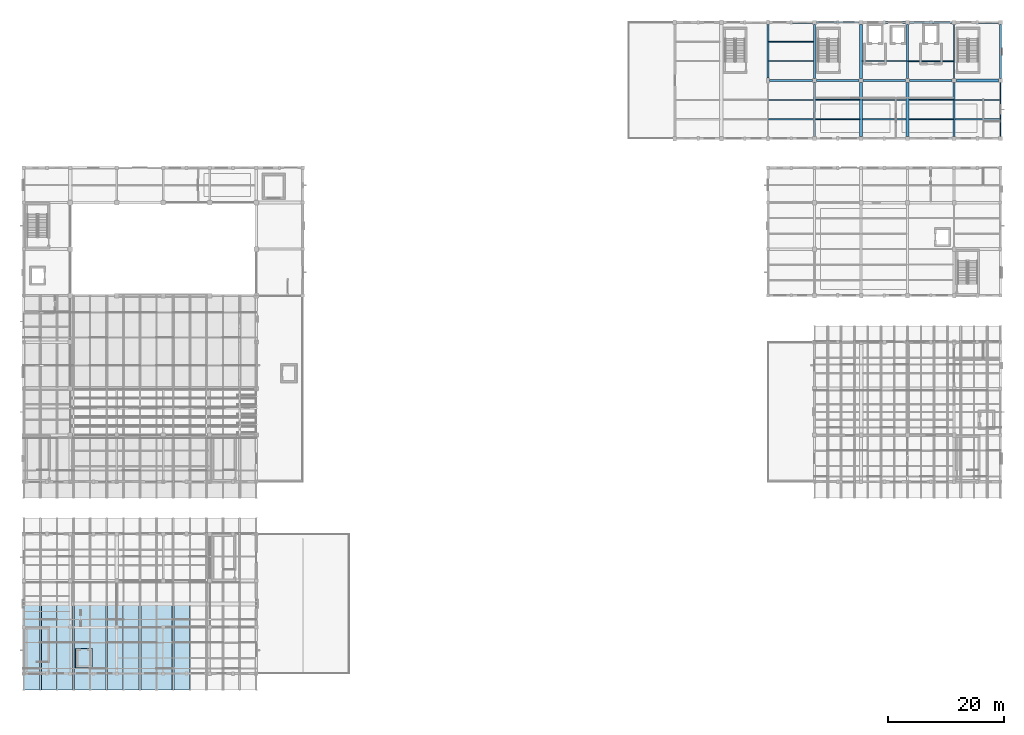
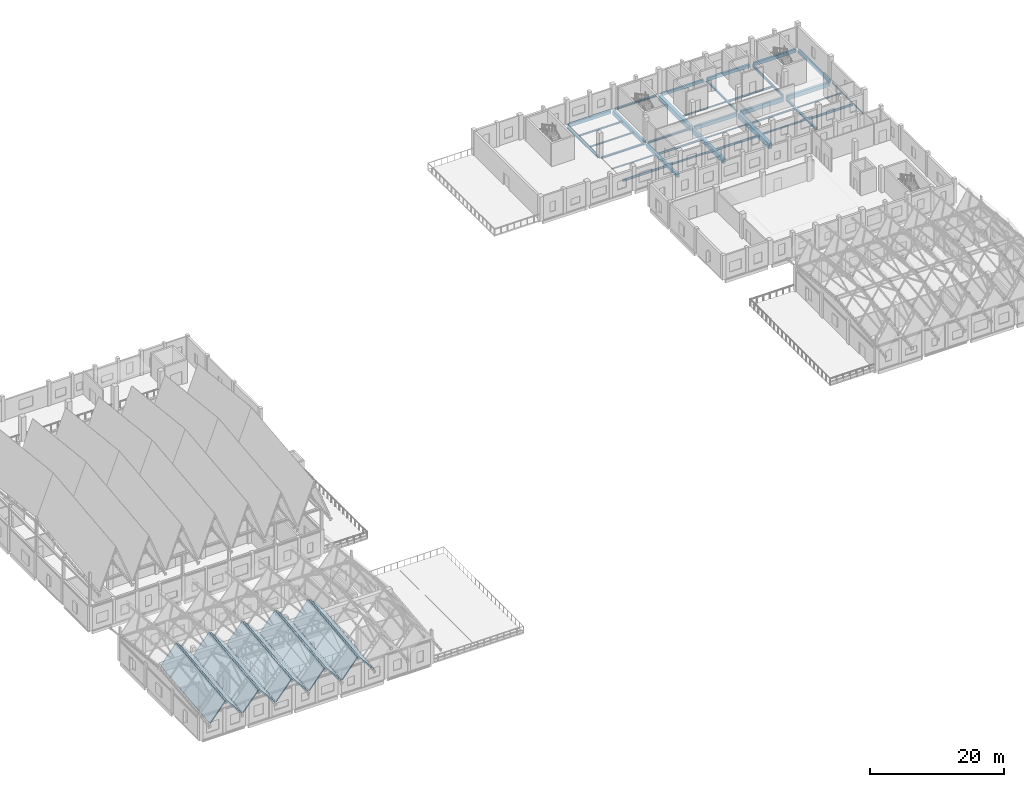
# One storey, part 26 of 77: 35 beams, 11 slabs.
"""IFC4 building model written with IfcOpenShell, lengths in metres."""

from ifc_helpers import new_model, si_unit, direction, frame, origin, origin_2d, place, context, subcontext, project, spatial, polyline, rectangle, hollow_rectangle, i_section, outline, extrude, material, layer, layer_set, material_profile, profile_set, type_object, element, save


model = new_model("IFC4")

# Units and contexts
model_context = context("Model", 3, precision=1e-05, world=origin(), true_north=direction((0.0, 1.0)))
body_context = subcontext(model_context, "Body", "Model", "MODEL_VIEW")
ifc_project = project(units=[si_unit("LENGTHUNIT", "METRE"), si_unit("AREAUNIT", "SQUARE_METRE"), si_unit("VOLUMEUNIT", "CUBIC_METRE"), si_unit("PLANEANGLEUNIT", "RADIAN"), si_unit("MASSUNIT", "GRAM", prefix="KILO")], contexts=[model_context])

# Site, building, storey
site_placement = place(None, origin())
site = spatial("IfcSite", under=ifc_project, at=site_placement, CompositionType="ELEMENT")
building_placement = place(site_placement, origin())
building = spatial("IfcBuilding", under=site, at=building_placement, Name="Luwemba Playhouse", CompositionType="ELEMENT")
storey_placement = place(building_placement, frame((0.0, 0.0, 9.300048828125)))
storey = spatial("IfcBuildingStorey", under=building, at=storey_placement, Name="L02", CompositionType="ELEMENT", Elevation=9.300048828125)

# Beams
ifc_material_1 = material(Name="Concrete C40/50", Category="concrete")
ifc_material_profile_1 = material_profile(ifc_material_1, rectangle(XDim=0.39990234375, YDim=0.60009765625, at=origin_2d()))
ifc_profile_set_1 = profile_set([ifc_material_profile_1], Name="Concrete C40/50")
beam_type_1 = type_object("IfcBeamType", Name="BM-RB01", PredefinedType="BEAM", material=ifc_profile_set_1)
beam_1_placement = place(storey_placement, frame((140.0, 95.375, -0.550048828125), z_axis=(0.0, 1.0, 0.0), x_axis=(-1.0, 0.0, 0.0)))
element("IfcBeam", 1, at=beam_1_placement, inside=storey, type_object=beam_type_1, Name="L02 transverse girder 0819", PredefinedType="BEAM", context=body_context, shape_type="SweptSolid", body=[
    extrude(rectangle(XDim=0.39990234375, YDim=0.60009765625, at=origin_2d()), origin(), (0.0, 0.0, 1.0), 9.25),
])
ifc_material_profile_2 = material_profile(ifc_material_1, rectangle(XDim=0.39990234375, YDim=0.64990234375, at=origin_2d()))
ifc_profile_set_2 = profile_set([ifc_material_profile_2], Name="Concrete C40/50")
beam_type_2 = type_object("IfcBeamType", Name="BM-RB02", PredefinedType="BEAM", material=ifc_profile_set_2)
beam_2_placement = place(storey_placement, frame((148.375, 105.0, -0.574951171875), z_axis=(1.0, 0.0, 0.0), x_axis=(0.0, 1.0, 0.0)))
element("IfcBeam", 2, at=beam_2_placement, inside=storey, type_object=beam_type_2, Name="L02 grid girder 0805", PredefinedType="BEAM", context=body_context, shape_type="SweptSolid", body=[
    extrude(rectangle(XDim=0.39990234375, YDim=0.64990234375, at=origin_2d()), origin(), (0.0, 0.0, 1.0), 7.25),
])
ifc_material_profile_3 = material_profile(ifc_material_1, rectangle(XDim=0.39990234375, YDim=0.75, at=origin_2d()))
ifc_profile_set_3 = profile_set([ifc_material_profile_3], Name="Concrete C40/50")
beam_type_3 = type_object("IfcBeamType", Name="BM-RB03", PredefinedType="BEAM", material=ifc_profile_set_3)
beam_3_placement = place(storey_placement, frame((156.375, 105.0, -0.625), z_axis=(1.0, 0.0, 0.0), x_axis=(0.0, 1.0, 0.0)))
element("IfcBeam", 3, at=beam_3_placement, inside=storey, type_object=beam_type_3, Name="L02 grid girder 0806", PredefinedType="BEAM", context=body_context, shape_type="SweptSolid", body=[
    extrude(rectangle(XDim=0.39990234375, YDim=0.75, at=origin_2d()), origin(), (0.0, 0.0, 1.0), 7.25),
])
beam_4_placement = place(storey_placement, frame((140.0, 105.375, -0.625), z_axis=(0.0, 1.0, 0.0), x_axis=(-1.0, 0.0, 0.0)))
element("IfcBeam", 4, at=beam_4_placement, inside=storey, type_object=beam_type_3, Name="L02 transverse girder 0820", PredefinedType="BEAM", context=body_context, shape_type="SweptSolid", body=[
    extrude(rectangle(XDim=0.39990234375, YDim=0.75, at=origin_2d()), origin(), (0.0, 0.0, 1.0), 9.25),
])
ifc_material_profile_4 = material_profile(ifc_material_1, rectangle(XDim=0.449951171875, YDim=0.75, at=origin_2d()))
ifc_profile_set_4 = profile_set([ifc_material_profile_4], Name="Concrete C40/50")
beam_type_4 = type_object("IfcBeamType", Name="BM-RB04", PredefinedType="BEAM", material=ifc_profile_set_4)
beam_5_placement = place(storey_placement, frame((164.375, 105.0, -0.625), z_axis=(1.0, 0.0, 0.0), x_axis=(0.0, 1.0, 0.0)))
element("IfcBeam", 5, at=beam_5_placement, inside=storey, type_object=beam_type_4, Name="L02 grid girder 0807", PredefinedType="BEAM", context=body_context, shape_type="SweptSolid", body=[
    extrude(rectangle(XDim=0.449951171875, YDim=0.75, at=origin_2d()), origin(), (0.0, 0.0, 1.0), 7.25),
])
ifc_material_profile_5 = material_profile(ifc_material_1, rectangle(XDim=0.449951171875, YDim=0.85009765625, at=origin_2d()))
ifc_profile_set_5 = profile_set([ifc_material_profile_5], Name="Concrete C40/50")
beam_type_5 = type_object("IfcBeamType", Name="BM-RB05", PredefinedType="BEAM", material=ifc_profile_set_5)
beam_6_placement = place(storey_placement, frame((148.0, 95.375, -0.675048828125), z_axis=(0.0, 1.0, 0.0), x_axis=(-1.0, 0.0, 0.0)))
element("IfcBeam", 6, at=beam_6_placement, inside=storey, type_object=beam_type_5, Name="L02 transverse girder 0821", PredefinedType="BEAM", context=body_context, shape_type="SweptSolid", body=[
    extrude(rectangle(XDim=0.449951171875, YDim=0.85009765625, at=origin_2d()), origin(), (0.0, 0.0, 1.0), 9.25),
])
ifc_material_profile_6 = material_profile(ifc_material_1, rectangle(XDim=0.5, YDim=0.89990234375, at=origin_2d()))
ifc_profile_set_6 = profile_set([ifc_material_profile_6], Name="Concrete C40/50")
beam_type_6 = type_object("IfcBeamType", Name="BM-RB07", PredefinedType="BEAM", material=ifc_profile_set_6)
beam_7_placement = place(storey_placement, frame((148.0, 105.375, -0.699951171875), z_axis=(0.0, 1.0, 0.0), x_axis=(-1.0, 0.0, 0.0)))
element("IfcBeam", 7, at=beam_7_placement, inside=storey, type_object=beam_type_6, Name="L02 transverse girder 0822", PredefinedType="BEAM", context=body_context, shape_type="SweptSolid", body=[
    extrude(rectangle(XDim=0.5, YDim=0.89990234375, at=origin_2d()), origin(), (0.0, 0.0, 1.0), 9.25),
])
ifc_material_profile_7 = material_profile(ifc_material_1, rectangle(XDim=0.550048828125, YDim=0.949951171875, at=origin_2d()))
ifc_profile_set_7 = profile_set([ifc_material_profile_7], Name="Concrete C40/50")
beam_type_7 = type_object("IfcBeamType", Name="BM-RB08", PredefinedType="BEAM", material=ifc_profile_set_7)
beam_8_placement = place(storey_placement, frame((156.0, 95.375, -0.72509765625), z_axis=(0.0, 1.0, 0.0), x_axis=(-1.0, 0.0, 0.0)))
element("IfcBeam", 8, at=beam_8_placement, inside=storey, type_object=beam_type_7, Name="L02 transverse girder 0823", PredefinedType="BEAM", context=body_context, shape_type="SweptSolid", body=[
    extrude(rectangle(XDim=0.550048828125, YDim=0.949951171875, at=origin_2d()), origin(), (0.0, 0.0, 1.0), 9.25),
])
ifc_material_2 = material(Name="Steel S355", Category="steel")
ifc_material_profile_8 = material_profile(ifc_material_2, i_section(OverallWidth=0.280029296875, OverallDepth=0.27001953125, WebThickness=0.008056640625, FlangeThickness=0.012939453125, FilletRadius=0.02392578125, at=origin_2d()))
ifc_profile_set_8 = profile_set([ifc_material_profile_8], Name="Steel S355")
beam_type_8 = type_object("IfcBeamType", Name="BM-SB02", PredefinedType="BEAM", material=ifc_profile_set_8)
beam_9_placement = place(storey_placement, frame((156.0, 105.375, -0.385009765625), z_axis=(0.0, 1.0, 0.0), x_axis=(-1.0, 0.0, 0.0)))
element("IfcBeam", 9, at=beam_9_placement, inside=storey, type_object=beam_type_8, Name="L02 transverse girder 0824", PredefinedType="BEAM", context=body_context, shape_type="SweptSolid", body=[
    extrude(i_section(OverallWidth=0.280029296875, OverallDepth=0.27001953125, WebThickness=0.008056640625, FlangeThickness=0.012939453125, FilletRadius=0.02392578125, at=origin_2d()), origin(), (0.0, 0.0, 1.0), 9.25),
])
ifc_material_profile_9 = material_profile(ifc_material_2, i_section(OverallWidth=0.300048828125, OverallDepth=0.2900390625, WebThickness=0.008544921875, FlangeThickness=0.013916015625, FilletRadius=0.027099609375, at=origin_2d()))
ifc_profile_set_9 = profile_set([ifc_material_profile_9], Name="Steel S355")
beam_type_9 = type_object("IfcBeamType", Name="BM-SB03", PredefinedType="BEAM", material=ifc_profile_set_9)
beam_10_placement = place(storey_placement, frame((132.300048828125, 105.0, -0.39501953125), z_axis=(1.0, 0.0, 0.0), x_axis=(0.0, 1.0, 0.0)))
element("IfcBeam", 10, at=beam_10_placement, inside=storey, type_object=beam_type_9, Name="L02 grid girder 0803", PredefinedType="BEAM", context=body_context, shape_type="SweptSolid", body=[
    extrude(i_section(OverallWidth=0.300048828125, OverallDepth=0.2900390625, WebThickness=0.008544921875, FlangeThickness=0.013916015625, FilletRadius=0.027099609375, at=origin_2d()), origin(), (0.0, 0.0, 1.0), 7.324951171875),
])
ifc_material_profile_10 = material_profile(ifc_material_2, i_section(OverallWidth=0.300048828125, OverallDepth=0.330078125, WebThickness=0.009521484375, FlangeThickness=0.0166015625, FilletRadius=0.027099609375, at=origin_2d()))
ifc_profile_set_10 = profile_set([ifc_material_profile_10], Name="Steel S355")
beam_type_10 = type_object("IfcBeamType", Name="BM-SB04", PredefinedType="BEAM", material=ifc_profile_set_10)
beam_11_placement = place(storey_placement, frame((140.375, 105.0, -0.4150390625), z_axis=(1.0, 0.0, 0.0), x_axis=(0.0, 1.0, 0.0)))
element("IfcBeam", 11, at=beam_11_placement, inside=storey, type_object=beam_type_10, Name="L02 grid girder 0804", PredefinedType="BEAM", context=body_context, shape_type="SweptSolid", body=[
    extrude(i_section(OverallWidth=0.300048828125, OverallDepth=0.330078125, WebThickness=0.009521484375, FlangeThickness=0.0166015625, FilletRadius=0.027099609375, at=origin_2d()), origin(), (0.0, 0.0, 1.0), 7.25),
])
ifc_material_profile_11 = material_profile(ifc_material_2, i_section(OverallWidth=0.300048828125, OverallDepth=0.389892578125, WebThickness=0.010986328125, FlangeThickness=0.01904296875, FilletRadius=0.027099609375, at=origin_2d()))
ifc_profile_set_11 = profile_set([ifc_material_profile_11], Name="Steel S355")
beam_type_11 = type_object("IfcBeamType", Name="BM-SB05", PredefinedType="BEAM", material=ifc_profile_set_11)
beam_12_placement = place(storey_placement, frame((164.0, 95.375, -0.445068359375), z_axis=(0.0, 1.0, 0.0), x_axis=(-1.0, 0.0, 0.0)))
element("IfcBeam", 12, at=beam_12_placement, inside=storey, type_object=beam_type_11, Name="L02 transverse girder 0825", PredefinedType="BEAM", context=body_context, shape_type="SweptSolid", body=[
    extrude(i_section(OverallWidth=0.300048828125, OverallDepth=0.389892578125, WebThickness=0.010986328125, FlangeThickness=0.01904296875, FilletRadius=0.027099609375, at=origin_2d()), origin(), (0.0, 0.0, 1.0), 9.25),
])
ifc_material_profile_12 = material_profile(ifc_material_2, i_section(OverallWidth=0.18994140625, OverallDepth=0.449951171875, WebThickness=0.009521484375, FlangeThickness=0.0146484375, FilletRadius=0.02099609375, at=origin_2d()))
ifc_profile_set_12 = profile_set([ifc_material_profile_12], Name="Steel S355")
beam_type_12 = type_object("IfcBeamType", Name="BM-SB06", PredefinedType="BEAM", material=ifc_profile_set_12)
beam_13_placement = place(storey_placement, frame((164.0, 105.375, -0.47509765625), z_axis=(0.0, 1.0, 0.0), x_axis=(-1.0, 0.0, 0.0)))
element("IfcBeam", 13, at=beam_13_placement, inside=storey, type_object=beam_type_12, Name="L02 transverse girder 0826", PredefinedType="BEAM", context=body_context, shape_type="SweptSolid", body=[
    extrude(i_section(OverallWidth=0.18994140625, OverallDepth=0.449951171875, WebThickness=0.009521484375, FlangeThickness=0.0146484375, FilletRadius=0.02099609375, at=origin_2d()), origin(), (0.0, 0.0, 1.0), 9.25),
])
ifc_material_profile_13 = material_profile(ifc_material_2, i_section(OverallWidth=0.300048828125, OverallDepth=0.360107421875, WebThickness=0.012451171875, FlangeThickness=0.0224609375, FilletRadius=0.027099609375, at=origin_2d()))
ifc_profile_set_13 = profile_set([ifc_material_profile_13], Name="Steel S355")
beam_type_13 = type_object("IfcBeamType", Name="BM-SB09", PredefinedType="BEAM", material=ifc_profile_set_13)
beam_14_placement = place(storey_placement, frame((132.0, 105.39990234375, -0.429931640625), z_axis=(0.0, 1.0, 0.0), x_axis=(-1.0, 0.0, 0.0)))
element("IfcBeam", 14, at=beam_14_placement, inside=storey, type_object=beam_type_13, Name="L02 transverse girder 0818", PredefinedType="BEAM", context=body_context, shape_type="SweptSolid", body=[
    extrude(i_section(OverallWidth=0.300048828125, OverallDepth=0.360107421875, WebThickness=0.012451171875, FlangeThickness=0.0224609375, FilletRadius=0.027099609375, at=origin_2d()), origin(), (0.0, 0.0, 1.0), 9.2001953125),
])
ifc_material_profile_14 = material_profile(ifc_material_2, i_section(OverallWidth=0.1201171875, OverallDepth=0.239990234375, WebThickness=0.006103515625, FlangeThickness=0.009765625, FilletRadius=0.014892578125, at=origin_2d()))
ifc_profile_set_14 = profile_set([ifc_material_profile_14], Name="Steel S355")
beam_type_14 = type_object("IfcBeamType", Name="BM-SJ03", PredefinedType="JOIST", material=ifc_profile_set_14)
beam_15_placement = place(storey_placement, frame((132.091064453125, 101.666748046875, -0.3701171875), z_axis=(1.0, 0.0, 0.0), x_axis=(0.0, 1.0, 0.0)))
element("IfcBeam", 15, at=beam_15_placement, inside=storey, type_object=beam_type_14, Name="L02 composite floor joist 0471", PredefinedType="JOIST", context=body_context, shape_type="SweptSolid", body=[
    extrude(i_section(OverallWidth=0.1201171875, OverallDepth=0.239990234375, WebThickness=0.006103515625, FlangeThickness=0.009765625, FilletRadius=0.014892578125, at=origin_2d()), origin(), (0.0, 0.0, 1.0), 7.712890625),
])
beam_16_placement = place(storey_placement, frame((148.220947265625, 101.666748046875, -0.3701171875), z_axis=(1.0, 0.0, 0.0), x_axis=(0.0, 1.0, 0.0)))
element("IfcBeam", 16, at=beam_16_placement, inside=storey, type_object=beam_type_14, Name="L02 composite floor joist 0477", PredefinedType="JOIST", context=body_context, shape_type="SweptSolid", body=[
    extrude(i_section(OverallWidth=0.1201171875, OverallDepth=0.239990234375, WebThickness=0.006103515625, FlangeThickness=0.009765625, FilletRadius=0.014892578125, at=origin_2d()), origin(), (0.0, 0.0, 1.0), 7.508056640625),
])
beam_17_placement = place(storey_placement, frame((164.14599609375, 101.666748046875, -0.3701171875), z_axis=(1.0, 0.0, 0.0), x_axis=(0.0, 1.0, 0.0)))
element("IfcBeam", 17, at=beam_17_placement, inside=storey, type_object=beam_type_14, Name="L02 composite floor joist 0483", PredefinedType="JOIST", context=body_context, shape_type="SweptSolid", body=[
    extrude(i_section(OverallWidth=0.1201171875, OverallDepth=0.239990234375, WebThickness=0.006103515625, FlangeThickness=0.009765625, FilletRadius=0.014892578125, at=origin_2d()), origin(), (0.0, 0.0, 1.0), 7.80810546875),
])
ifc_material_profile_15 = material_profile(ifc_material_2, i_section(OverallWidth=0.135009765625, OverallDepth=0.27001953125, WebThickness=0.006591796875, FlangeThickness=0.01025390625, FilletRadius=0.014892578125, at=origin_2d()))
ifc_profile_set_15 = profile_set([ifc_material_profile_15], Name="Steel S355")
beam_type_15 = type_object("IfcBeamType", Name="BM-SJ04", PredefinedType="JOIST", material=ifc_profile_set_15)
beam_18_placement = place(storey_placement, frame((132.14599609375, 108.333251953125, -0.385009765625), z_axis=(1.0, 0.0, 0.0), x_axis=(0.0, 1.0, 0.0)))
element("IfcBeam", 18, at=beam_18_placement, inside=storey, type_object=beam_type_15, Name="L02 composite floor joist 0472", PredefinedType="JOIST", context=body_context, shape_type="SweptSolid", body=[
    extrude(i_section(OverallWidth=0.135009765625, OverallDepth=0.27001953125, WebThickness=0.006591796875, FlangeThickness=0.01025390625, FilletRadius=0.014892578125, at=origin_2d()), origin(), (0.0, 0.0, 1.0), 7.657958984375),
])
beam_19_placement = place(storey_placement, frame((148.24609375, 108.333251953125, -0.385009765625), z_axis=(1.0, 0.0, 0.0), x_axis=(0.0, 1.0, 0.0)))
element("IfcBeam", 19, at=beam_19_placement, inside=storey, type_object=beam_type_15, Name="L02 composite floor joist 0478", PredefinedType="JOIST", context=body_context, shape_type="SweptSolid", body=[
    extrude(i_section(OverallWidth=0.135009765625, OverallDepth=0.27001953125, WebThickness=0.006591796875, FlangeThickness=0.01025390625, FilletRadius=0.014892578125, at=origin_2d()), origin(), (0.0, 0.0, 1.0), 7.617919921875),
])
ifc_material_profile_16 = material_profile(ifc_material_2, i_section(OverallWidth=0.14990234375, OverallDepth=0.300048828125, WebThickness=0.007080078125, FlangeThickness=0.0107421875, FilletRadius=0.014892578125, at=origin_2d()))
ifc_profile_set_16 = profile_set([ifc_material_profile_16], Name="Steel S355")
beam_type_16 = type_object("IfcBeamType", Name="BM-SJ05", PredefinedType="JOIST", material=ifc_profile_set_16)
beam_20_placement = place(storey_placement, frame((132.14599609375, 111.666748046875, -0.400146484375), z_axis=(1.0, 0.0, 0.0), x_axis=(0.0, 1.0, 0.0)))
element("IfcBeam", 20, at=beam_20_placement, inside=storey, type_object=beam_type_16, Name="L02 composite floor joist 0473", PredefinedType="JOIST", context=body_context, shape_type="SweptSolid", body=[
    extrude(i_section(OverallWidth=0.14990234375, OverallDepth=0.300048828125, WebThickness=0.007080078125, FlangeThickness=0.0107421875, FilletRadius=0.014892578125, at=origin_2d()), origin(), (0.0, 0.0, 1.0), 7.657958984375),
])
beam_21_placement = place(storey_placement, frame((156.27099609375, 98.333251953125, -0.400146484375), z_axis=(1.0, 0.0, 0.0), x_axis=(0.0, 1.0, 0.0)))
element("IfcBeam", 21, at=beam_21_placement, inside=storey, type_object=beam_type_16, Name="L02 composite floor joist 0479", PredefinedType="JOIST", context=body_context, shape_type="SweptSolid", body=[
    extrude(i_section(OverallWidth=0.14990234375, OverallDepth=0.300048828125, WebThickness=0.007080078125, FlangeThickness=0.0107421875, FilletRadius=0.014892578125, at=origin_2d()), origin(), (0.0, 0.0, 1.0), 7.5830078125),
])
ifc_material_profile_17 = material_profile(ifc_material_2, i_section(OverallWidth=0.159912109375, OverallDepth=0.330078125, WebThickness=0.007568359375, FlangeThickness=0.011474609375, FilletRadius=0.01806640625, at=origin_2d()))
ifc_profile_set_17 = profile_set([ifc_material_profile_17], Name="Steel S355")
beam_type_17 = type_object("IfcBeamType", Name="BM-SJ06", PredefinedType="JOIST", material=ifc_profile_set_17)
for number, where, z_axis, x_axis, name in (
    (22, (140.196044921875, 98.333251953125, -0.4150390625), (1.0, 0.0, 0.0), (0.0, 1.0, 0.0), "L02 composite floor joist 0474"),
    (23, (156.27099609375, 101.666748046875, -0.4150390625), (1.0, 0.0, 0.0), (0.0, 1.0, 0.0), "L02 composite floor joist 0480"),
):
    element("IfcBeam", number, at=place(storey_placement, frame(where, z_axis=z_axis, x_axis=x_axis)), inside=storey, type_object=beam_type_17, Name=name, PredefinedType="JOIST", context=body_context, shape_type="SweptSolid", body=[
        extrude(i_section(OverallWidth=0.159912109375, OverallDepth=0.330078125, WebThickness=0.007568359375, FlangeThickness=0.011474609375, FilletRadius=0.01806640625, at=origin_2d()), origin(), (0.0, 0.0, 1.0), 7.5830078125),
    ])
ifc_material_profile_18 = material_profile(ifc_material_2, i_section(OverallWidth=0.169921875, OverallDepth=0.360107421875, WebThickness=0.008056640625, FlangeThickness=0.0126953125, FilletRadius=0.01806640625, at=origin_2d()))
ifc_profile_set_18 = profile_set([ifc_material_profile_18], Name="Steel S355")
beam_type_18 = type_object("IfcBeamType", Name="BM-SJ07", PredefinedType="JOIST", material=ifc_profile_set_18)
beam_22_placement = place(storey_placement, frame((140.196044921875, 101.666748046875, -0.429931640625), z_axis=(1.0, 0.0, 0.0), x_axis=(0.0, 1.0, 0.0)))
element("IfcBeam", 24, at=beam_22_placement, inside=storey, type_object=beam_type_18, Name="L02 composite floor joist 0475", PredefinedType="JOIST", context=body_context, shape_type="SweptSolid", body=[
    extrude(i_section(OverallWidth=0.169921875, OverallDepth=0.360107421875, WebThickness=0.008056640625, FlangeThickness=0.0126953125, FilletRadius=0.01806640625, at=origin_2d()), origin(), (0.0, 0.0, 1.0), 7.5830078125),
])
beam_23_placement = place(storey_placement, frame((156.135986328125, 108.333251953125, -0.429931640625), z_axis=(1.0, 0.0, 0.0), x_axis=(0.0, 1.0, 0.0)))
element("IfcBeam", 25, at=beam_23_placement, inside=storey, type_object=beam_type_18, Name="L02 composite floor joist 0481", PredefinedType="JOIST", context=body_context, shape_type="SweptSolid", body=[
    extrude(i_section(OverallWidth=0.169921875, OverallDepth=0.360107421875, WebThickness=0.008056640625, FlangeThickness=0.0126953125, FilletRadius=0.01806640625, at=origin_2d()), origin(), (0.0, 0.0, 1.0), 7.77294921875),
])
ifc_material_profile_19 = material_profile(ifc_material_2, i_section(OverallWidth=0.179931640625, OverallDepth=0.39990234375, WebThickness=0.008544921875, FlangeThickness=0.013427734375, FilletRadius=0.02099609375, at=origin_2d()))
ifc_profile_set_19 = profile_set([ifc_material_profile_19], Name="Steel S355")
beam_type_19 = type_object("IfcBeamType", Name="BM-SJ08", PredefinedType="JOIST", material=ifc_profile_set_19)
beam_24_placement = place(storey_placement, frame((132.091064453125, 98.333251953125, -0.449951171875), z_axis=(1.0, 0.0, 0.0), x_axis=(0.0, 1.0, 0.0)))
element("IfcBeam", 26, at=beam_24_placement, inside=storey, type_object=beam_type_19, Name="L02 composite floor joist 0470", PredefinedType="JOIST", context=body_context, shape_type="SweptSolid", body=[
    extrude(i_section(OverallWidth=0.179931640625, OverallDepth=0.39990234375, WebThickness=0.008544921875, FlangeThickness=0.013427734375, FilletRadius=0.02099609375, at=origin_2d()), origin(), (0.0, 0.0, 1.0), 7.712890625),
])
beam_25_placement = place(storey_placement, frame((148.220947265625, 98.333251953125, -0.449951171875), z_axis=(1.0, 0.0, 0.0), x_axis=(0.0, 1.0, 0.0)))
element("IfcBeam", 27, at=beam_25_placement, inside=storey, type_object=beam_type_19, Name="L02 composite floor joist 0476", PredefinedType="JOIST", context=body_context, shape_type="SweptSolid", body=[
    extrude(i_section(OverallWidth=0.179931640625, OverallDepth=0.39990234375, WebThickness=0.008544921875, FlangeThickness=0.013427734375, FilletRadius=0.02099609375, at=origin_2d()), origin(), (0.0, 0.0, 1.0), 7.508056640625),
])
beam_26_placement = place(storey_placement, frame((164.14599609375, 98.333251953125, -0.449951171875), z_axis=(1.0, 0.0, 0.0), x_axis=(0.0, 1.0, 0.0)))
element("IfcBeam", 28, at=beam_26_placement, inside=storey, type_object=beam_type_19, Name="L02 composite floor joist 0482", PredefinedType="JOIST", context=body_context, shape_type="SweptSolid", body=[
    extrude(i_section(OverallWidth=0.179931640625, OverallDepth=0.39990234375, WebThickness=0.008544921875, FlangeThickness=0.013427734375, FilletRadius=0.02099609375, at=origin_2d()), origin(), (0.0, 0.0, 1.0), 7.80810546875),
])
ifc_material_profile_20 = material_profile(ifc_material_1, rectangle(XDim=0.300048828125, YDim=0.5, at=origin_2d()))
ifc_profile_set_20 = profile_set([ifc_material_profile_20], Name="Concrete C40/50")
beam_type_20 = type_object("IfcBeamType", Name="BM-SP1", PredefinedType="SPANDREL", material=ifc_profile_set_20)
beam_27_placement = place(storey_placement, frame((148.375, 115.0, -0.5), z_axis=(1.0, 0.0, 0.0), x_axis=(0.0, 1.0, 0.0)))
element("IfcBeam", 29, at=beam_27_placement, inside=storey, type_object=beam_type_20, Name="L02 grid girder 0812", PredefinedType="SPANDREL", context=body_context, shape_type="SweptSolid", body=[
    extrude(rectangle(XDim=0.300048828125, YDim=0.5, at=origin_2d()), origin(), (0.0, 0.0, 1.0), 7.25),
])
ifc_material_profile_21 = material_profile(ifc_material_1, rectangle(XDim=0.35009765625, YDim=0.550048828125, at=origin_2d()))
ifc_profile_set_21 = profile_set([ifc_material_profile_21], Name="Concrete C40/50")
beam_type_21 = type_object("IfcBeamType", Name="BM-SP2", PredefinedType="SPANDREL", material=ifc_profile_set_21)
beam_28_placement = place(storey_placement, frame((156.375, 115.0, -0.525146484375), z_axis=(1.0, 0.0, 0.0), x_axis=(0.0, 1.0, 0.0)))
element("IfcBeam", 30, at=beam_28_placement, inside=storey, type_object=beam_type_21, Name="L02 grid girder 0813", PredefinedType="SPANDREL", context=body_context, shape_type="SweptSolid", body=[
    extrude(rectangle(XDim=0.35009765625, YDim=0.550048828125, at=origin_2d()), origin(), (0.0, 0.0, 1.0), 7.25),
])
beam_29_placement = place(storey_placement, frame((172.0, 105.375, -0.525146484375), z_axis=(0.0, 1.0, 0.0), x_axis=(-1.0, 0.0, 0.0)))
element("IfcBeam", 31, at=beam_29_placement, inside=storey, type_object=beam_type_21, Name="L02 transverse girder 0828", PredefinedType="SPANDREL", context=body_context, shape_type="SweptSolid", body=[
    extrude(rectangle(XDim=0.35009765625, YDim=0.550048828125, at=origin_2d()), origin(), (0.0, 0.0, 1.0), 9.25),
])
ifc_material_profile_22 = material_profile(ifc_material_1, rectangle(XDim=0.35009765625, YDim=0.60009765625, at=origin_2d()))
ifc_profile_set_22 = profile_set([ifc_material_profile_22], Name="Concrete C40/50")
beam_type_22 = type_object("IfcBeamType", Name="BM-SP3", PredefinedType="SPANDREL", material=ifc_profile_set_22)
beam_30_placement = place(storey_placement, frame((132.300048828125, 115.0, -0.550048828125), z_axis=(1.0, 0.0, 0.0), x_axis=(0.0, 1.0, 0.0)))
element("IfcBeam", 32, at=beam_30_placement, inside=storey, type_object=beam_type_22, Name="L02 grid girder 0810", PredefinedType="SPANDREL", context=body_context, shape_type="SweptSolid", body=[
    extrude(rectangle(XDim=0.35009765625, YDim=0.60009765625, at=origin_2d()), origin(), (0.0, 0.0, 1.0), 7.324951171875),
])
beam_31_placement = place(storey_placement, frame((164.375, 115.0, -0.550048828125), z_axis=(1.0, 0.0, 0.0), x_axis=(0.0, 1.0, 0.0)))
element("IfcBeam", 33, at=beam_31_placement, inside=storey, type_object=beam_type_22, Name="L02 grid girder 0814", PredefinedType="SPANDREL", context=body_context, shape_type="SweptSolid", body=[
    extrude(rectangle(XDim=0.35009765625, YDim=0.60009765625, at=origin_2d()), origin(), (0.0, 0.0, 1.0), 7.25),
])
ifc_material_profile_23 = material_profile(ifc_material_2, i_section(OverallWidth=0.300048828125, OverallDepth=0.300048828125, WebThickness=0.010986328125, FlangeThickness=0.01904296875, FilletRadius=0.027099609375, at=origin_2d()))
ifc_profile_set_23 = profile_set([ifc_material_profile_23], Name="Steel S355")
beam_type_23 = type_object("IfcBeamType", Name="BM-SSP1", PredefinedType="SPANDREL", material=ifc_profile_set_23)
beam_32_placement = place(storey_placement, frame((140.375, 115.0, -0.400146484375), z_axis=(1.0, 0.0, 0.0), x_axis=(0.0, 1.0, 0.0)))
element("IfcBeam", 34, at=beam_32_placement, inside=storey, type_object=beam_type_23, Name="L02 grid girder 0811", PredefinedType="SPANDREL", context=body_context, shape_type="SweptSolid", body=[
    extrude(i_section(OverallWidth=0.300048828125, OverallDepth=0.300048828125, WebThickness=0.010986328125, FlangeThickness=0.01904296875, FilletRadius=0.027099609375, at=origin_2d()), origin(), (0.0, 0.0, 1.0), 7.25),
])
ifc_material_profile_24 = material_profile(ifc_material_2, hollow_rectangle(XDim=0.10009765625, YDim=0.199951171875, WallThickness=0.008056640625, InnerFilletRadius=0.011962890625, OuterFilletRadius=0.02001953125, at=origin_2d()))
ifc_profile_set_24 = profile_set([ifc_material_profile_24], Name="Steel S355")
beam_type_24 = type_object("IfcBeamType", Name="BM-SSP2", PredefinedType="SPANDREL", material=ifc_profile_set_24)
beam_33_placement = place(storey_placement, frame((172.0, 95.375, -0.35009765625), z_axis=(0.0, 1.0, 0.0), x_axis=(-1.0, 0.0, 0.0)))
element("IfcBeam", 35, at=beam_33_placement, inside=storey, type_object=beam_type_24, Name="L02 transverse girder 0827", PredefinedType="SPANDREL", context=body_context, shape_type="SweptSolid", body=[
    extrude(hollow_rectangle(XDim=0.10009765625, YDim=0.199951171875, WallThickness=0.008056640625, InnerFilletRadius=0.011962890625, OuterFilletRadius=0.02001953125, at=origin_2d()), origin(), (0.0, 0.0, 1.0), 9.25),
])

# Slabs
ifc_material_3 = material(Name="Concrete C32/40", Category="concrete")
ifc_layer_1 = layer(ifc_material_3, 0.199951171875)
ifc_layer_set_1 = layer_set([ifc_layer_1], Name="Concrete C32/40")
slab_type_1 = type_object("IfcSlabType", Name="SLB-ROOF-200", PredefinedType="ROOF", material=ifc_layer_set_1)
slab_1_placement = place(storey_placement, frame((4.0400390625, 0.199951171875, 4.59423828125), z_axis=(-0.768585900343, -0.071310400949, 0.635759813539), x_axis=(0.637382479229, 0.0, 0.770547581381)))
element("IfcSlab", 36, at=slab_1_placement, inside=storey, type_object=slab_type_1, Name="RF-V5W pleated roof facet 1S", PredefinedType="ROOF", context=body_context, shape_type="SweptSolid", body=[
    extrude(outline(polyline([(0.0, 0.0), (4.154411683785052, 0.0), (5.428373651829394, 14.777611480519171), (1.2739619680443413, 14.777611480519171), (0.0, 0.0)])), origin(), (0.0, 0.0, -1.0), 0.199951171875),
])
slab_2_placement = place(storey_placement, frame((7.026123046875, 0.199951171875, 7.79541015625), z_axis=(0.768556897924, -0.07131428463, 0.635794438055), x_axis=(0.637417369557, 0.0, -0.770518719427)))
element("IfcSlab", 37, at=slab_2_placement, inside=storey, type_object=slab_type_1, Name="RF-V5W pleated roof facet 2S", PredefinedType="ROOF", context=body_context, shape_type="SweptSolid", body=[
    extrude(outline(polyline([(0.0, 0.0), (4.154567299001048, 0.0), (2.880653049010733, 14.777615594163596), (-1.2739142499903156, 14.777615594163597), (0.0, 0.0)])), origin(), (0.0, 0.0, -1.0), 0.199951171875),
])
slab_3_placement = place(storey_placement, frame((9.75439453125, 0.199951171875, 4.59423828125), z_axis=(-0.768585900343, -0.071310400949, 0.635759813539), x_axis=(0.637382479229, 0.0, 0.770547581381)))
element("IfcSlab", 38, at=slab_3_placement, inside=storey, type_object=slab_type_1, Name="RF-V5W pleated roof facet 3S", PredefinedType="ROOF", context=body_context, shape_type="SweptSolid", body=[
    extrude(outline(polyline([(0.0, 0.0), (4.154411683785052, 0.0), (5.428373651829394, 14.777611480519171), (1.2739619680443413, 14.777611480519171), (0.0, 0.0)])), origin(), (0.0, 0.0, -1.0), 0.199951171875),
])
slab_4_placement = place(storey_placement, frame((12.740478515625, 0.199951171875, 7.79541015625), z_axis=(0.768556897924, -0.07131428463, 0.635794438055), x_axis=(0.637417369557, 0.0, -0.770518719427)))
element("IfcSlab", 39, at=slab_4_placement, inside=storey, type_object=slab_type_1, Name="RF-V5W pleated roof facet 4S", PredefinedType="ROOF", context=body_context, shape_type="SweptSolid", body=[
    extrude(outline(polyline([(0.0, 0.0), (4.154567299001048, 0.0), (2.880653049010733, 14.777615594163596), (-1.2739142499903156, 14.777615594163597), (0.0, 0.0)])), origin(), (0.0, 0.0, -1.0), 0.199951171875),
])
slab_5_placement = place(storey_placement, frame((15.468505859375, 0.199951171875, 4.59423828125), z_axis=(-0.768556897924, -0.07131428463, 0.635794438055), x_axis=(0.637417369557, 0.0, 0.770518719427)))
element("IfcSlab", 40, at=slab_5_placement, inside=storey, type_object=slab_type_1, Name="RF-V5W pleated roof facet 5S", PredefinedType="ROOF", context=body_context, shape_type="SweptSolid", body=[
    extrude(outline(polyline([(0.0, 0.0), (4.154567299001048, 0.0), (5.428481548991364, 14.777615594163597), (1.2739142499903156, 14.777615594163597), (0.0, 0.0)])), origin(), (0.0, 0.0, -1.0), 0.199951171875),
])
slab_6_placement = place(storey_placement, frame((18.454833984375, 0.199951171875, 7.79541015625), z_axis=(0.768585900343, -0.071310400949, 0.635759813539), x_axis=(0.637382479229, 0.0, -0.770547581381)))
element("IfcSlab", 41, at=slab_6_placement, inside=storey, type_object=slab_type_1, Name="RF-V5W pleated roof facet 6S", PredefinedType="ROOF", context=body_context, shape_type="SweptSolid", body=[
    extrude(outline(polyline([(0.0, 0.0), (4.154411683785052, 0.0), (2.8804497157407107, 14.777611480519173), (-1.2739619680443413, 14.777611480519171), (0.0, 0.0)])), origin(), (0.0, 0.0, -1.0), 0.199951171875),
])
slab_7_placement = place(storey_placement, frame((21.182861328125, 0.199951171875, 4.59423828125), z_axis=(-0.768585900343, -0.071310400949, 0.635759813539), x_axis=(0.637382479229, 0.0, 0.770547581381)))
element("IfcSlab", 42, at=slab_7_placement, inside=storey, type_object=slab_type_1, Name="RF-V5W pleated roof facet 7S", PredefinedType="ROOF", context=body_context, shape_type="SweptSolid", body=[
    extrude(outline(polyline([(0.0, 0.0), (4.154411683785052, 0.0), (5.428373651829394, 14.777611480519171), (1.2739619680443413, 14.777611480519171), (0.0, 0.0)])), origin(), (0.0, 0.0, -1.0), 0.199951171875),
])
slab_8_placement = place(storey_placement, frame((24.169189453125, 0.199951171875, 7.79541015625), z_axis=(0.768585900343, -0.071310400949, 0.635759813539), x_axis=(0.637382479229, 0.0, -0.770547581381)))
element("IfcSlab", 43, at=slab_8_placement, inside=storey, type_object=slab_type_1, Name="RF-V5W pleated roof facet 8S", PredefinedType="ROOF", context=body_context, shape_type="SweptSolid", body=[
    extrude(outline(polyline([(0.0, 0.0), (4.154411683785052, 0.0), (2.8804497157407107, 14.777611480519173), (-1.2739619680443413, 14.777611480519171), (0.0, 0.0)])), origin(), (0.0, 0.0, -1.0), 0.199951171875),
])
slab_9_placement = place(storey_placement, frame((26.897216796875, 0.199951171875, 4.59423828125), z_axis=(-0.768585900343, -0.071310400949, 0.635759813539), x_axis=(0.637382479229, 0.0, 0.770547581381)))
element("IfcSlab", 44, at=slab_9_placement, inside=storey, type_object=slab_type_1, Name="RF-V5W pleated roof facet 9S", PredefinedType="ROOF", context=body_context, shape_type="SweptSolid", body=[
    extrude(outline(polyline([(0.0, 0.0), (4.154411683785052, 0.0), (5.428373651829394, 14.777611480519171), (1.2739619680443413, 14.777611480519171), (0.0, 0.0)])), origin(), (0.0, 0.0, -1.0), 0.199951171875),
])
slab_10_placement = place(storey_placement, frame((29.88330078125, 0.199951171875, 7.79541015625), z_axis=(0.768556897924, -0.07131428463, 0.635794438055), x_axis=(0.637417369557, 0.0, -0.770518719427)))
element("IfcSlab", 45, at=slab_10_placement, inside=storey, type_object=slab_type_1, Name="RF-V5W pleated roof facet 10S", PredefinedType="ROOF", context=body_context, shape_type="SweptSolid", body=[
    extrude(outline(polyline([(0.0, 0.0), (4.154567299001048, 0.0), (2.880653049010733, 14.777615594163596), (-1.2739142499903156, 14.777615594163597), (0.0, 0.0)])), origin(), (0.0, 0.0, -1.0), 0.199951171875),
])
ifc_layer_2 = layer(ifc_material_1, 0.22998046875)
ifc_layer_set_2 = layer_set([ifc_layer_2], Name="Concrete C40/50")
slab_type_2 = type_object("IfcSlabType", Name="SLB-UPP-230", PredefinedType="FLOOR", material=ifc_layer_set_2)
slab_11_placement = place(storey_placement, frame((0.0, 0.0, 4.02001953125)))
element("IfcSlab", 46, at=slab_11_placement, inside=storey, type_object=slab_type_2, Name="Lift LF-P4 overrun cap slab", PredefinedType="FLOOR", context=body_context, shape_type="SweptSolid", body=[
    extrude(outline(polyline([(12.949951171875, 3.949951171875), (15.85009765625, 3.949951171875), (15.85009765625, 7.35009765625), (12.949951171875, 7.35009765625), (12.949951171875, 3.949951171875)])), origin(), (0.0, 0.0, 1.0), 0.22998046875),
])

save(model, "model.ifc")
